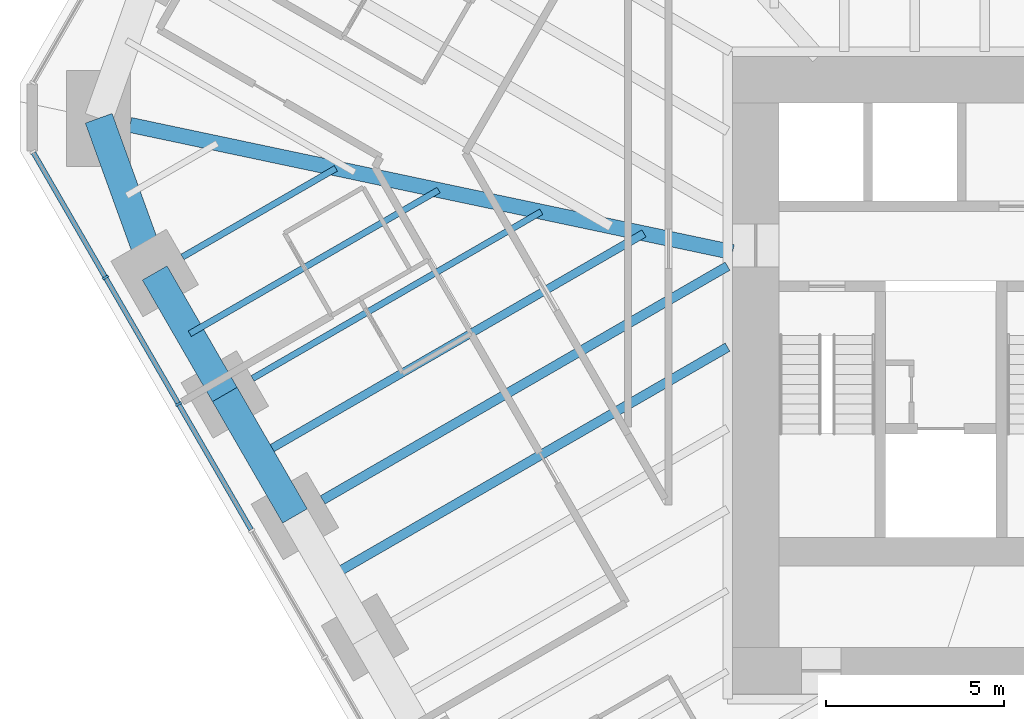
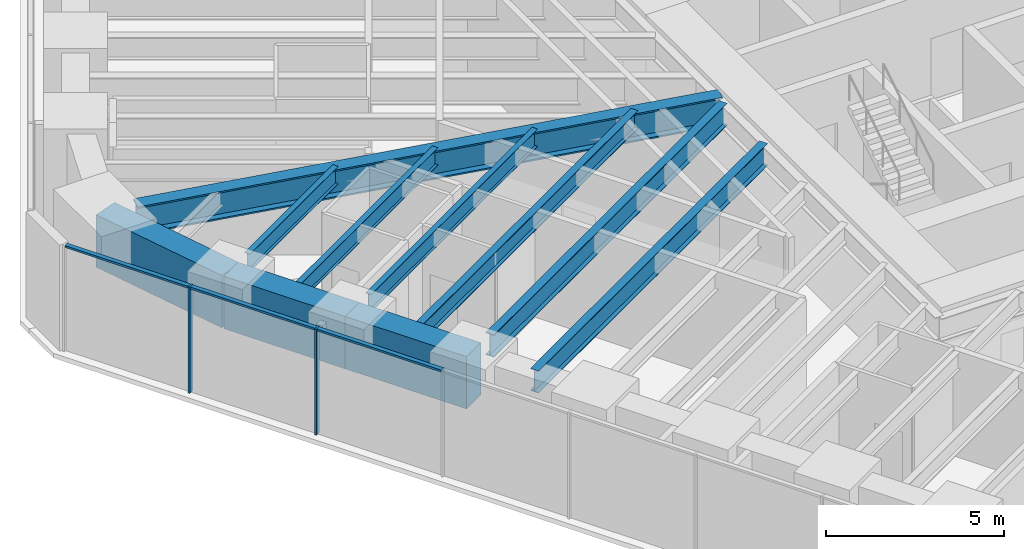
# One storey, part 3 of 17: 10 beams, 5 members, 1 element without a shape of its own.
"""IFC4 building model written with IfcOpenShell, lengths in metres."""

from ifc_helpers import new_model, si_unit, direction, frame, origin, origin_2d, place, context, subcontext, project, spatial, rectangle, i_section, extrude, material, material_profile, profile_set, type_object, element, aggregate, save


model = new_model("IFC4")

# Units and contexts
model_context = context("Model", 3, precision=1e-05, world=origin(), true_north=direction((0.0, 1.0)))
body_context = subcontext(model_context, "Body", "Model", "MODEL_VIEW")
ifc_project = project(units=[si_unit("LENGTHUNIT", "METRE"), si_unit("AREAUNIT", "SQUARE_METRE"), si_unit("VOLUMEUNIT", "CUBIC_METRE"), si_unit("PLANEANGLEUNIT", "RADIAN"), si_unit("MASSUNIT", "GRAM", prefix="KILO")], contexts=[model_context])

# Site, building, storey
site_placement = place(None, origin())
site = spatial("IfcSite", under=ifc_project, at=site_placement, CompositionType="ELEMENT")
building_placement = place(site_placement, origin())
building = spatial("IfcBuilding", under=site, at=building_placement, Name="Sandreach Pilgrim Tower", CompositionType="ELEMENT")
storey_placement = place(building_placement, frame((0.0, 0.0, 138.60009765625)))
storey = spatial("IfcBuildingStorey", under=building, at=storey_placement, Name="L34", CompositionType="ELEMENT", Elevation=138.60009765625)

# Curtain wall, members
ifc_material_1 = material(Name="Aluminium framed curtain wall", Category="aluminium")
curtain_wall_type = type_object("IfcCurtainWallType", Name="Hotel tower curtain wall", PredefinedType="NOTDEFINED", material=ifc_material_1)
curtain_wall_placement = place(storey_placement, origin())
curtain_wall = element("IfcCurtainWall", 1, at=curtain_wall_placement, inside=storey, type_object=curtain_wall_type, Name="CW-2 L34 SW", PredefinedType="NOTDEFINED")
ifc_material_2 = material(Name="Aluminium extrusion", Category="aluminium")
ifc_material_profile_1 = material_profile(ifc_material_2, rectangle(XDim=0.06494140625, YDim=0.179931640625, at=origin_2d()), Name="CW-2M 65X180")
ifc_profile_set_1 = profile_set([ifc_material_profile_1], Name="Aluminium extrusion")
member_type_1 = type_object("IfcMemberType", Name="CW-2 mullion", PredefinedType="MULLION", material=ifc_profile_set_1)
member_1_placement = place(storey_placement, frame((-24.614013671875, -2.35498046875, 0.0), z_axis=(0.0, 0.0, 1.0), x_axis=(-0.5, 0.866025403784, 0.0)))
member_1 = element("IfcMember", 2, at=member_1_placement, type_object=member_type_1, Name="CW-2 mullion 8", PredefinedType="MULLION", context=body_context, shape_type="SweptSolid", body=[
    extrude(rectangle(XDim=0.06494140625, YDim=0.179931640625, at=origin_2d()), origin(), (0.0, 0.0, 1.0), 3.639892578125),
])
member_2_placement = place(storey_placement, frame((-26.66748046875, 1.20166015625, 0.0), z_axis=(0.0, 0.0, 1.0), x_axis=(-0.5, 0.866025403784, 0.0)))
member_2 = element("IfcMember", 3, at=member_2_placement, type_object=member_type_1, Name="CW-2 mullion 9", PredefinedType="MULLION", context=body_context, shape_type="SweptSolid", body=[
    extrude(rectangle(XDim=0.06494140625, YDim=0.179931640625, at=origin_2d()), origin(), (0.0, 0.0, 1.0), 3.639892578125),
])
ifc_material_3 = material(Name="Aluminium extrusion", Category="aluminium")
ifc_material_profile_2 = material_profile(ifc_material_3, rectangle(XDim=0.139892578125, YDim=0.070068359375, at=origin_2d()), Name="CW-2T 140X70")
ifc_profile_set_2 = profile_set([ifc_material_profile_2], Name="Aluminium extrusion")
member_type_2 = type_object("IfcMemberType", Name="CW-2 transom", PredefinedType="USERDEFINED", material=ifc_profile_set_2)
member_3_placement = place(storey_placement, frame((-22.57666015625, -5.883544921875, 3.60498046875), z_axis=(-0.500023973715, 0.866011562111, 0.0), x_axis=(-0.866011562111, -0.500023973715, 0.0)))
member_3 = element("IfcMember", 4, at=member_3_placement, type_object=member_type_2, Name="CW-2 head transom 7", ObjectType="TRANSOM", PredefinedType="USERDEFINED", context=body_context, shape_type="SweptSolid", body=[
    extrude(rectangle(XDim=0.139892578125, YDim=0.070068359375, at=origin_2d()), origin(), (0.0, 0.0, 1.0), 4.041748046875),
])
member_4_placement = place(storey_placement, frame((-24.630126953125, -2.326904296875, 3.60498046875), z_axis=(-0.499997818338, 0.866026663364, 0.0), x_axis=(-0.866026663364, -0.499997818338, 0.0)))
member_4 = element("IfcMember", 5, at=member_4_placement, type_object=member_type_2, Name="CW-2 head transom 8", ObjectType="TRANSOM", PredefinedType="USERDEFINED", context=body_context, shape_type="SweptSolid", body=[
    extrude(rectangle(XDim=0.139892578125, YDim=0.070068359375, at=origin_2d()), origin(), (0.0, 0.0, 1.0), 4.0419921875),
])
member_5_placement = place(storey_placement, frame((-26.68359375, 1.229736328125, 3.60498046875), z_axis=(-0.500015851672, 0.866016251624, 0.0), x_axis=(-0.866016251624, -0.500015851672, 0.0)))
member_5 = element("IfcMember", 6, at=member_5_placement, type_object=member_type_2, Name="CW-2 head transom 9", ObjectType="TRANSOM", PredefinedType="USERDEFINED", context=body_context, shape_type="SweptSolid", body=[
    extrude(rectangle(XDim=0.139892578125, YDim=0.070068359375, at=origin_2d()), origin(), (0.0, 0.0, 1.0), 4.009521484375),
])
aggregate(curtain_wall, [member_1, member_2, member_3, member_4, member_5])

# Beams
ifc_material_4 = material(Name="Steel ASTM A992 Grade 50", Category="steel")
ifc_material_profile_3 = material_profile(ifc_material_4, i_section(OverallWidth=0.424072265625, OverallDepth=0.965087890625, WebThickness=0.028564453125, FlangeThickness=0.051025390625, at=origin_2d()), Name="W36X361")
ifc_profile_set_3 = profile_set([ifc_material_profile_3], Name="Steel ASTM A992 Grade 50")
beam_type_1 = type_object("IfcBeamType", Name="Corner girder W36X361", PredefinedType="BEAM", material=ifc_profile_set_3)
beam_1_placement = place(storey_placement, frame((-25.976806640625, 5.484619140625, 3.1572265625), z_axis=(0.978427882284, -0.206588671447, 0.0), x_axis=(0.206588671447, 0.978427882284, 0.0)))
element("IfcBeam", 7, at=beam_1_placement, inside=storey, type_object=beam_type_1, Name="BM L34 CG35", PredefinedType="BEAM", context=body_context, shape_type="SweptSolid", body=[
    extrude(i_section(OverallWidth=0.424072265625, OverallDepth=0.965087890625, WebThickness=0.028564453125, FlangeThickness=0.051025390625, at=origin_2d()), origin(), (0.0, 0.0, 1.0), 17.300048828125),
])
ifc_material_5 = material(Name="Steel ASTM A992 Grade 50", Category="steel")
ifc_material_profile_4 = material_profile(ifc_material_5, i_section(OverallWidth=0.1787109375, OverallDepth=0.60205078125, WebThickness=0.010986328125, FlangeThickness=0.014892578125, at=origin_2d()), Name="W24X62")
ifc_profile_set_4 = profile_set([ifc_material_profile_4], Name="Steel ASTM A992 Grade 50")
beam_type_2 = type_object("IfcBeamType", Name="Floor beam W24X62", PredefinedType="BEAM", material=ifc_profile_set_4)
beam_2_placement = place(storey_placement, frame((-22.534423828125, -1.63671875, 3.3388671875), z_axis=(0.866012351917, 0.500022605817, 0.0), x_axis=(-0.500022605817, 0.866012351917, 0.0)))
element("IfcBeam", 8, at=beam_2_placement, inside=storey, type_object=beam_type_2, Name="BM L34 F33", PredefinedType="BEAM", context=body_context, shape_type="SweptSolid", body=[
    extrude(i_section(OverallWidth=0.1787109375, OverallDepth=0.60205078125, WebThickness=0.010986328125, FlangeThickness=0.014892578125, at=origin_2d()), origin(), (0.0, 0.0, 1.0), 9.3642578125),
])
beam_3_placement = place(storey_placement, frame((-24.50439453125, 1.775390625, 3.3388671875), z_axis=(0.866024645457, 0.500001313459, 0.0), x_axis=(-0.500001313459, 0.866024645457, 0.0)))
element("IfcBeam", 9, at=beam_3_placement, inside=storey, type_object=beam_type_2, Name="BM L34 F34", PredefinedType="BEAM", context=body_context, shape_type="SweptSolid", body=[
    extrude(i_section(OverallWidth=0.1787109375, OverallDepth=0.60205078125, WebThickness=0.010986328125, FlangeThickness=0.014892578125, at=origin_2d()), origin(), (0.0, 0.0, 1.0), 4.9765625),
])
beam_4_placement = place(storey_placement, frame((-24.298828125, -0.380615234375, 3.3388671875), z_axis=(0.866022864518, 0.500004398112, 0.0), x_axis=(-0.500004398112, 0.866022864518, 0.0)))
element("IfcBeam", 10, at=beam_4_placement, inside=storey, type_object=beam_type_2, Name="BM L34 FM33", PredefinedType="BEAM", context=body_context, shape_type="SweptSolid", body=[
    extrude(i_section(OverallWidth=0.1787109375, OverallDepth=0.60205078125, WebThickness=0.010986328125, FlangeThickness=0.014892578125, at=origin_2d()), origin(), (0.0, 0.0, 1.0), 8.0703125),
])
ifc_material_6 = material(Name="Steel ASTM A992 Grade 50", Category="steel")
ifc_material_profile_5 = material_profile(ifc_material_6, i_section(OverallWidth=0.23046875, OverallDepth=0.6171875, WebThickness=0.01318359375, FlangeThickness=0.022216796875, at=origin_2d()), Name="W24X94")
ifc_profile_set_5 = profile_set([ifc_material_profile_5], Name="Steel ASTM A992 Grade 50")
beam_type_3 = type_object("IfcBeamType", Name="Floor beam W24X94", PredefinedType="BEAM", material=ifc_profile_set_5)
beam_5_placement = place(storey_placement, frame((-22.328857421875, -3.792724609375, 3.331298828125), z_axis=(0.866019150617, 0.500010830648, 0.0), x_axis=(-0.500010830648, 0.866019150617, 0.0)))
element("IfcBeam", 11, at=beam_5_placement, inside=storey, type_object=beam_type_3, Name="BM L34 FM32", PredefinedType="BEAM", context=body_context, shape_type="SweptSolid", body=[
    extrude(i_section(OverallWidth=0.23046875, OverallDepth=0.6171875, WebThickness=0.01318359375, FlangeThickness=0.022216796875, at=origin_2d()), origin(), (0.0, 0.0, 1.0), 12.458251953125),
])
ifc_material_7 = material(Name="Steel ASTM A992 Grade 50", Category="steel")
ifc_material_profile_6 = material_profile(ifc_material_7, i_section(OverallWidth=0.2666015625, OverallDepth=0.761962890625, WebThickness=0.014404296875, FlangeThickness=0.021484375, at=origin_2d()), Name="W30X116")
ifc_profile_set_6 = profile_set([ifc_material_profile_6], Name="Steel ASTM A992 Grade 50")
beam_type_4 = type_object("IfcBeamType", Name="Floor beam W30X116", PredefinedType="BEAM", material=ifc_profile_set_6)
beam_6_placement = place(storey_placement, frame((-20.564453125, -5.048828125, 3.2587890625), z_axis=(0.866022715736, 0.500004655807, 0.0), x_axis=(-0.500004655807, 0.866022715736, 0.0)))
element("IfcBeam", 12, at=beam_6_placement, inside=storey, type_object=beam_type_4, Name="BM L34 F32", PredefinedType="BEAM", context=body_context, shape_type="SweptSolid", body=[
    extrude(i_section(OverallWidth=0.2666015625, OverallDepth=0.761962890625, WebThickness=0.014404296875, FlangeThickness=0.021484375, at=origin_2d()), origin(), (0.0, 0.0, 1.0), 13.130126953125),
])
beam_7_placement = place(storey_placement, frame((-20.35888671875, -7.204833984375, 3.2587890625), z_axis=(0.866021609098, 0.500006572533, 0.0), x_axis=(-0.500006572533, 0.866021609098, 0.0)))
element("IfcBeam", 13, at=beam_7_placement, inside=storey, type_object=beam_type_4, Name="BM L34 FM31", PredefinedType="BEAM", context=body_context, shape_type="SweptSolid", body=[
    extrude(i_section(OverallWidth=0.2666015625, OverallDepth=0.761962890625, WebThickness=0.014404296875, FlangeThickness=0.021484375, at=origin_2d()), origin(), (0.0, 0.0, 1.0), 12.892822265625),
])
ifc_material_8 = material(Name="Concrete 10000 psi", Category="concrete")
ifc_material_profile_7 = material_profile(ifc_material_8, rectangle(XDim=0.800048828125, YDim=1.800048828125, at=origin_2d()), Name="RC800X1800")
ifc_profile_set_7 = profile_set([ifc_material_profile_7], Name="Concrete 10000 psi")
beam_type_5 = type_object("IfcBeamType", Name="Spandrel beam RC800X1800", PredefinedType="SPANDREL", material=ifc_profile_set_7)
for number, where, z_axis, x_axis, name in (
    (14, (-21.343994140625, -5.498779296875, 2.739990234375), (-0.49999779889, 0.866026674592, 0.0), (-0.866026674592, -0.49999779889, 0.0), "BM L34 SP32"),
    (15, (-23.31396484375, -2.086669921875, 2.739990234375), (-0.49999779889, 0.866026674592, 0.0), (-0.866026674592, -0.49999779889, 0.0), "BM L34 SP33"),
):
    element("IfcBeam", number, at=place(storey_placement, frame(where, z_axis=z_axis, x_axis=x_axis)), inside=storey, type_object=beam_type_5, Name=name, PredefinedType="SPANDREL", context=body_context, shape_type="SweptSolid", body=[
        extrude(rectangle(XDim=0.800048828125, YDim=1.800048828125, at=origin_2d()), origin(), (0.0, 0.0, 1.0), 3.93994140625),
    ])
beam_8_placement = place(storey_placement, frame((-25.283935546875, 1.325439453125, 2.739990234375), z_axis=(-0.340453163563, 0.940261476091, 0.0), x_axis=(-0.940261476091, -0.340453163563, 0.0)))
element("IfcBeam", 16, at=beam_8_placement, inside=storey, type_object=beam_type_5, Name="BM L34 SP34", PredefinedType="SPANDREL", context=body_context, shape_type="SweptSolid", body=[
    extrude(rectangle(XDim=0.800048828125, YDim=1.800048828125, at=origin_2d()), origin(), (0.0, 0.0, 1.0), 4.62109375),
])

save(model, "model.ifc")
